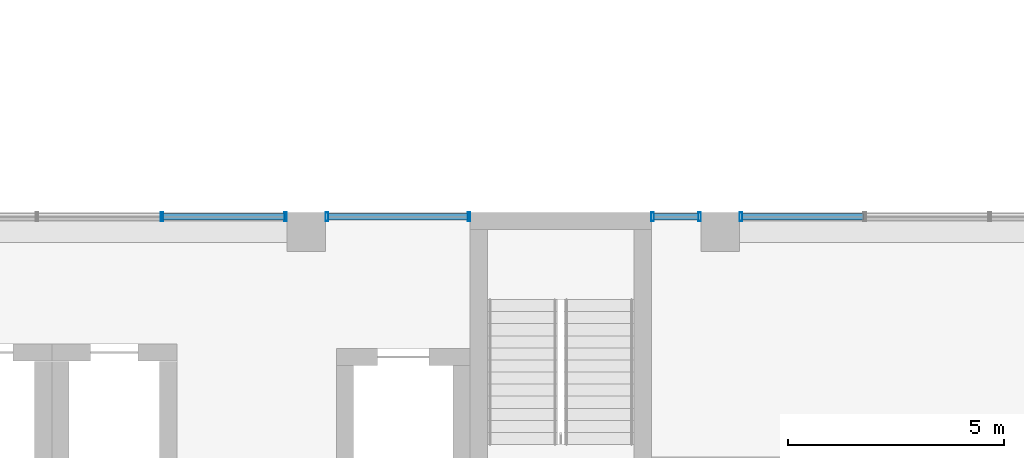
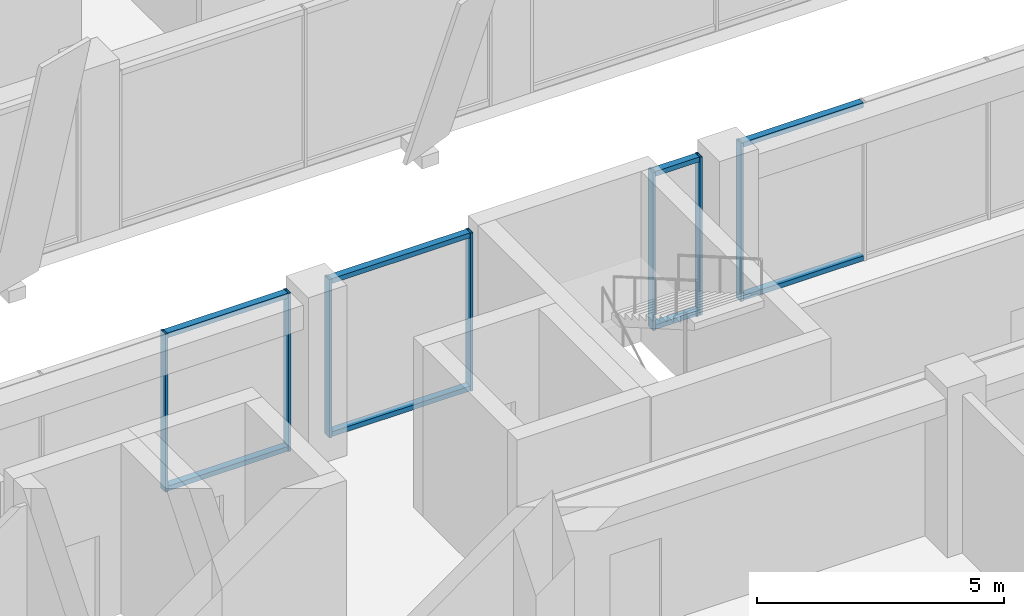
# One storey, part 9 of 36: 15 members, 4 elements without a shape of their own.
"""IFC4 building model written with IfcOpenShell, lengths in metres."""

from ifc_helpers import new_model, si_unit, direction, frame, origin, origin_2d, place, context, subcontext, project, spatial, hollow_rectangle, extrude, material, layer, layer_set, material_profile, profile_set, type_object, element, aggregate, save


model = new_model("IFC4")

# Units and contexts
model_context = context("Model", 3, precision=1e-05, world=origin(), true_north=direction((0.0, 1.0)))
body_context = subcontext(model_context, "Body", "Model", "MODEL_VIEW")
ifc_project = project(units=[si_unit("LENGTHUNIT", "METRE"), si_unit("AREAUNIT", "SQUARE_METRE"), si_unit("VOLUMEUNIT", "CUBIC_METRE"), si_unit("PLANEANGLEUNIT", "RADIAN"), si_unit("MASSUNIT", "GRAM", prefix="KILO")], contexts=[model_context])

# Site, building, storey
site_placement = place(None, origin())
site = spatial("IfcSite", under=ifc_project, at=site_placement, CompositionType="ELEMENT")
building_placement = place(site_placement, origin())
building = spatial("IfcBuilding", under=site, at=building_placement, Name="Nzadi Deep Aquarium and Research Tower", CompositionType="ELEMENT")
storey_placement = place(building_placement, frame((0.0, 0.0, 40.300048828125)))
storey = spatial("IfcBuildingStorey", under=building, at=storey_placement, Name="L07", CompositionType="ELEMENT", Elevation=40.300048828125)

# Curtain wall, members
ifc_material_1 = material(Name="Aluminium unitised frame", Category="aluminium")
ifc_layer = layer(ifc_material_1, 0.199951171875)
ifc_layer_set = layer_set([ifc_layer], Name="Aluminium unitised frame")
curtain_wall_type = type_object("IfcCurtainWallType", Name="Curtain wall Unitised 200", PredefinedType="NOTDEFINED", material=ifc_layer_set)
curtain_wall_1_placement = place(storey_placement, origin())
curtain_wall_1 = element("IfcCurtainWall", 1, at=curtain_wall_1_placement, inside=storey, type_object=curtain_wall_type, Name="Unitised curtain wall blade A north L07", PredefinedType="NOTDEFINED")
ifc_material_2 = material(Name="Aluminium unitised frame", Category="aluminium")
ifc_material_profile_1 = material_profile(ifc_material_2, hollow_rectangle(XDim=0.199951171875, YDim=0.06005859375, WallThickness=0.0048828125, at=origin_2d()))
ifc_profile_set_1 = profile_set([ifc_material_profile_1], Name="Aluminium unitised frame")
member_type_1 = type_object("IfcMemberType", Name="Mullion 60x200 Unitised", PredefinedType="MULLION", material=ifc_profile_set_1)
member_1_placement = place(storey_placement, frame((15.85009765625, 18.75, 0.0), z_axis=(0.0, 0.0, 1.0), x_axis=(0.0, 1.0, 0.0)))
member_1 = element("IfcMember", 2, at=member_1_placement, type_object=member_type_1, Name="CW017 mullion 3", PredefinedType="MULLION", context=body_context, shape_type="SweptSolid", body=[
    extrude(hollow_rectangle(XDim=0.199951171875, YDim=0.06005859375, WallThickness=0.0048828125, at=origin_2d()), origin(), (0.0, 0.0, 1.0), 3.89990234375),
])
member_2_placement = place(storey_placement, frame((18.719970703125, 18.75, 0.0), z_axis=(0.0, 0.0, 1.0), x_axis=(0.0, 1.0, 0.0)))
member_2 = element("IfcMember", 3, at=member_2_placement, type_object=member_type_1, Name="CW017 mullion 4", PredefinedType="MULLION", context=body_context, shape_type="SweptSolid", body=[
    extrude(hollow_rectangle(XDim=0.199951171875, YDim=0.06005859375, WallThickness=0.0048828125, at=origin_2d()), origin(), (0.0, 0.0, 1.0), 3.89990234375),
])

curtain_wall_2_placement = place(storey_placement, origin())
curtain_wall_2 = element("IfcCurtainWall", 4, at=curtain_wall_2_placement, inside=storey, type_object=curtain_wall_type, Name="Unitised curtain wall blade A north L07", PredefinedType="NOTDEFINED")
member_3_placement = place(storey_placement, frame((19.679931640625, 18.75, 0.0), z_axis=(0.0, 0.0, 1.0), x_axis=(0.0, 1.0, 0.0)))
member_3 = element("IfcMember", 5, at=member_3_placement, type_object=member_type_1, Name="CW018 mullion 1", PredefinedType="MULLION", context=body_context, shape_type="SweptSolid", body=[
    extrude(hollow_rectangle(XDim=0.199951171875, YDim=0.06005859375, WallThickness=0.0048828125, at=origin_2d()), origin(), (0.0, 0.0, 1.0), 3.89990234375),
])
member_4_placement = place(storey_placement, frame((22.969970703125, 18.75, 0.0), z_axis=(0.0, 0.0, 1.0), x_axis=(0.0, 1.0, 0.0)))
member_4 = element("IfcMember", 6, at=member_4_placement, type_object=member_type_1, Name="CW018 mullion 2", PredefinedType="MULLION", context=body_context, shape_type="SweptSolid", body=[
    extrude(hollow_rectangle(XDim=0.199951171875, YDim=0.06005859375, WallThickness=0.0048828125, at=origin_2d()), origin(), (0.0, 0.0, 1.0), 3.89990234375),
])

curtain_wall_3_placement = place(storey_placement, origin())
curtain_wall_3 = element("IfcCurtainWall", 7, at=curtain_wall_3_placement, inside=storey, type_object=curtain_wall_type, Name="Unitised curtain wall blade A north L07", PredefinedType="NOTDEFINED")
member_5_placement = place(storey_placement, frame((27.22998046875, 18.75, 0.0), z_axis=(0.0, 0.0, 1.0), x_axis=(0.0, 1.0, 0.0)))
member_5 = element("IfcMember", 8, at=member_5_placement, type_object=member_type_1, Name="CW019 mullion 1", PredefinedType="MULLION", context=body_context, shape_type="SweptSolid", body=[
    extrude(hollow_rectangle(XDim=0.199951171875, YDim=0.06005859375, WallThickness=0.0048828125, at=origin_2d()), origin(), (0.0, 0.0, 1.0), 3.89990234375),
])
member_6_placement = place(storey_placement, frame((28.320068359375, 18.75, 0.0), z_axis=(0.0, 0.0, 1.0), x_axis=(0.0, 1.0, 0.0)))
member_6 = element("IfcMember", 9, at=member_6_placement, type_object=member_type_1, Name="CW019 mullion 2", PredefinedType="MULLION", context=body_context, shape_type="SweptSolid", body=[
    extrude(hollow_rectangle(XDim=0.199951171875, YDim=0.06005859375, WallThickness=0.0048828125, at=origin_2d()), origin(), (0.0, 0.0, 1.0), 3.89990234375),
])

# Curtain wall, member
curtain_wall_4_placement = place(storey_placement, origin())
curtain_wall_4 = element("IfcCurtainWall", 10, at=curtain_wall_4_placement, inside=storey, type_object=curtain_wall_type, Name="Unitised curtain wall blade A north L07", PredefinedType="NOTDEFINED")
member_7_placement = place(storey_placement, frame((29.280029296875, 18.75, 0.0), z_axis=(0.0, 0.0, 1.0), x_axis=(0.0, 1.0, 0.0)))
member_7 = element("IfcMember", 11, at=member_7_placement, type_object=member_type_1, Name="CW020 mullion 1", PredefinedType="MULLION", context=body_context, shape_type="SweptSolid", body=[
    extrude(hollow_rectangle(XDim=0.199951171875, YDim=0.06005859375, WallThickness=0.0048828125, at=origin_2d()), origin(), (0.0, 0.0, 1.0), 3.89990234375),
])

# Member
ifc_material_3 = material(Name="Aluminium unitised frame", Category="aluminium")
ifc_material_profile_2 = material_profile(ifc_material_3, hollow_rectangle(XDim=0.159912109375, YDim=0.1201171875, WallThickness=0.0048828125, at=origin_2d()))
ifc_profile_set_2 = profile_set([ifc_material_profile_2], Name="Aluminium unitised frame")
member_type_2 = type_object("IfcMemberType", Name="Transom 120x160 Unitised", PredefinedType="MULLION", material=ifc_profile_set_2)
member_8_placement = place(storey_placement, frame((15.8798828125, 18.75, 0.06005859375), z_axis=(1.0, 0.0, 0.0), x_axis=(0.0, 1.0, 0.0)))
member_8 = element("IfcMember", 12, at=member_8_placement, type_object=member_type_2, Name="CW017 transom 3.1", PredefinedType="MULLION", context=body_context, shape_type="SweptSolid", body=[
    extrude(hollow_rectangle(XDim=0.159912109375, YDim=0.1201171875, WallThickness=0.0048828125, at=origin_2d()), origin(), (0.0, 0.0, 1.0), 2.81005859375),
])

member_9_placement = place(storey_placement, frame((15.8798828125, 18.75, 3.83984375), z_axis=(1.0, 0.0, 0.0), x_axis=(0.0, 1.0, 0.0)))
member_9 = element("IfcMember", 13, at=member_9_placement, type_object=member_type_2, Name="CW017 transom 3.2", PredefinedType="MULLION", context=body_context, shape_type="SweptSolid", body=[
    extrude(hollow_rectangle(XDim=0.159912109375, YDim=0.1201171875, WallThickness=0.0048828125, at=origin_2d()), origin(), (0.0, 0.0, 1.0), 2.81005859375),
])

aggregate(curtain_wall_1, [member_1, member_2, member_8, member_9])

member_10_placement = place(storey_placement, frame((19.7099609375, 18.75, 0.06005859375), z_axis=(1.0, 0.0, 0.0), x_axis=(0.0, 1.0, 0.0)))
member_10 = element("IfcMember", 14, at=member_10_placement, type_object=member_type_2, Name="CW018 transom 1.1", PredefinedType="MULLION", context=body_context, shape_type="SweptSolid", body=[
    extrude(hollow_rectangle(XDim=0.159912109375, YDim=0.1201171875, WallThickness=0.0048828125, at=origin_2d()), origin(), (0.0, 0.0, 1.0), 3.22998046875),
])

member_11_placement = place(storey_placement, frame((19.7099609375, 18.75, 3.83984375), z_axis=(1.0, 0.0, 0.0), x_axis=(0.0, 1.0, 0.0)))
member_11 = element("IfcMember", 15, at=member_11_placement, type_object=member_type_2, Name="CW018 transom 1.2", PredefinedType="MULLION", context=body_context, shape_type="SweptSolid", body=[
    extrude(hollow_rectangle(XDim=0.159912109375, YDim=0.1201171875, WallThickness=0.0048828125, at=origin_2d()), origin(), (0.0, 0.0, 1.0), 3.22998046875),
])

aggregate(curtain_wall_2, [member_3, member_4, member_10, member_11])

member_12_placement = place(storey_placement, frame((27.260009765625, 18.75, 0.06005859375), z_axis=(1.0, 0.0, 0.0), x_axis=(0.0, 1.0, 0.0)))
member_12 = element("IfcMember", 16, at=member_12_placement, type_object=member_type_2, Name="CW019 transom 1.1", PredefinedType="MULLION", context=body_context, shape_type="SweptSolid", body=[
    extrude(hollow_rectangle(XDim=0.159912109375, YDim=0.1201171875, WallThickness=0.0048828125, at=origin_2d()), origin(), (0.0, 0.0, 1.0), 1.030029296875),
])

member_13_placement = place(storey_placement, frame((27.260009765625, 18.75, 3.83984375), z_axis=(1.0, 0.0, 0.0), x_axis=(0.0, 1.0, 0.0)))
member_13 = element("IfcMember", 17, at=member_13_placement, type_object=member_type_2, Name="CW019 transom 1.2", PredefinedType="MULLION", context=body_context, shape_type="SweptSolid", body=[
    extrude(hollow_rectangle(XDim=0.159912109375, YDim=0.1201171875, WallThickness=0.0048828125, at=origin_2d()), origin(), (0.0, 0.0, 1.0), 1.030029296875),
])

aggregate(curtain_wall_3, [member_5, member_6, member_12, member_13])

member_14_placement = place(storey_placement, frame((29.31005859375, 18.75, 0.06005859375), z_axis=(1.0, 0.0, 0.0), x_axis=(0.0, 1.0, 0.0)))
member_14 = element("IfcMember", 18, at=member_14_placement, type_object=member_type_2, Name="CW020 transom 1.1", PredefinedType="MULLION", context=body_context, shape_type="SweptSolid", body=[
    extrude(hollow_rectangle(XDim=0.159912109375, YDim=0.1201171875, WallThickness=0.0048828125, at=origin_2d()), origin(), (0.0, 0.0, 1.0), 2.81005859375),
])

member_15_placement = place(storey_placement, frame((29.31005859375, 18.75, 3.83984375), z_axis=(1.0, 0.0, 0.0), x_axis=(0.0, 1.0, 0.0)))
member_15 = element("IfcMember", 19, at=member_15_placement, type_object=member_type_2, Name="CW020 transom 1.2", PredefinedType="MULLION", context=body_context, shape_type="SweptSolid", body=[
    extrude(hollow_rectangle(XDim=0.159912109375, YDim=0.1201171875, WallThickness=0.0048828125, at=origin_2d()), origin(), (0.0, 0.0, 1.0), 2.81005859375),
])

aggregate(curtain_wall_4, [member_7, member_14, member_15])

save(model, "model.ifc")
